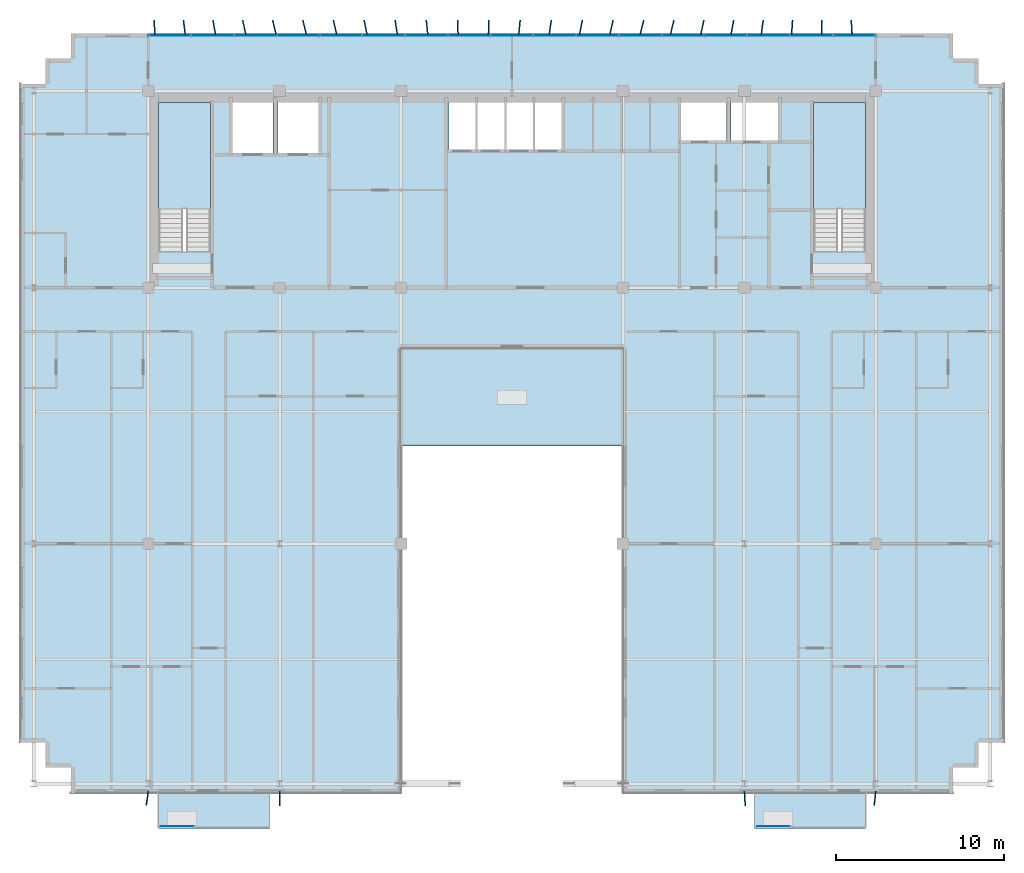
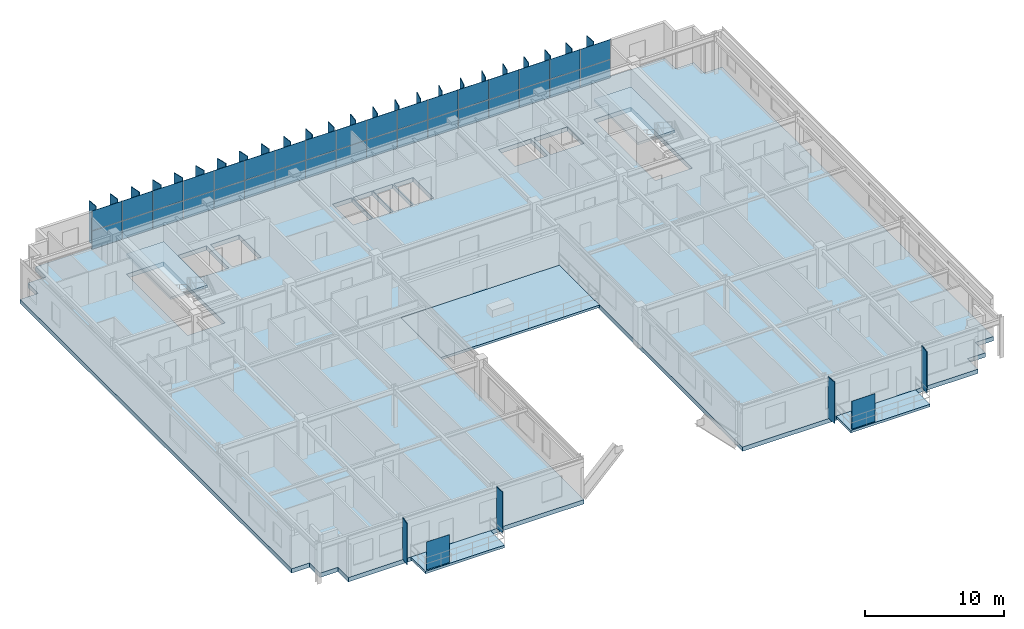
# One storey, part 15 of 23: 64 plates, 6 slabs, 3 elements without a shape of their own.
"""IFC4 building model written with IfcOpenShell, lengths in metres."""

from ifc_helpers import new_model, si_unit, direction, frame, origin, origin_2d, place, context, subcontext, project, spatial, polyline, rectangle, outline, extrude, source, transform, mapped, material, layer, layer_set, type_object, element, aggregate, save


model = new_model("IFC4")

# Units and contexts
model_context = context("Model", 3, precision=1e-05, world=origin(), true_north=direction((0.0, 1.0)))
body_context = subcontext(model_context, "Body", "Model", "MODEL_VIEW")
ifc_project = project(units=[si_unit("LENGTHUNIT", "METRE"), si_unit("AREAUNIT", "SQUARE_METRE"), si_unit("VOLUMEUNIT", "CUBIC_METRE"), si_unit("PLANEANGLEUNIT", "RADIAN"), si_unit("MASSUNIT", "GRAM", prefix="KILO")], contexts=[model_context])

# Site, building, storey
site_placement = place(None, origin())
site = spatial("IfcSite", under=ifc_project, at=site_placement, CompositionType="ELEMENT")
building_placement = place(site_placement, origin())
building = spatial("IfcBuilding", under=site, at=building_placement, Name="Trelvane Seafront Commons", CompositionType="ELEMENT")
storey_placement = place(building_placement, frame((0.0, 0.0, 190.5)))
storey = spatial("IfcBuildingStorey", under=building, at=storey_placement, Name="L49", CompositionType="ELEMENT", Elevation=190.5)

# Slabs
ifc_material_1 = material(Name="Concrete C40/50", Category="concrete")
ifc_layer_1 = layer(ifc_material_1, 0.219970703125, Name="ARCH-BALC-220")
ifc_layer_set_1 = layer_set([ifc_layer_1], Name="Concrete C40/50")
slab_type_1 = type_object("IfcSlabType", Name="ARCH-BALC-220", PredefinedType="FLOOR", material=ifc_layer_set_1)
slab_1_placement = place(storey_placement, frame((0.0, 0.0, -0.219970703125)))
element("IfcSlab", 1, at=slab_1_placement, inside=storey, type_object=slab_type_1, Name="L49 Cantilevered Tree Balcony Loggia 1", PredefinedType="FLOOR", context=body_context, shape_type="SweptSolid", body=[
    extrude(outline(polyline([(16.199951171875, 1.300048828125), (22.800048828125, 1.300048828125), (22.800048828125, 3.39990234375), (16.199951171875, 3.39990234375), (16.199951171875, 1.300048828125)])), origin(), (0.0, 0.0, 1.0), 0.219970703125),
])
slab_2_placement = place(storey_placement, frame((0.0, 0.0, -0.219970703125)))
element("IfcSlab", 2, at=slab_2_placement, inside=storey, type_object=slab_type_1, Name="L49 Cantilevered Tree Balcony Loggia 2", PredefinedType="FLOOR", context=body_context, shape_type="SweptSolid", body=[
    extrude(outline(polyline([(51.60009765625, 1.300048828125), (58.199951171875, 1.300048828125), (58.199951171875, 3.39990234375), (51.60009765625, 3.39990234375), (51.60009765625, 1.300048828125)])), origin(), (0.0, 0.0, 1.0), 0.219970703125),
])

# Stair, slab
stair_type_1 = type_object("IfcStairType", Name="ARCH-STR-ST-1-R20-180", PredefinedType="HALF_TURN_STAIR", material=ifc_material_1)
stair_1_placement = place(storey_placement, origin())
stair_1 = element("IfcStair", 3, at=stair_1_placement, inside=storey, type_object=stair_type_1, Name="L49 West Protected Firefighting Exit Stair ST-1", PredefinedType="HALF_TURN_STAIR")
ifc_layer_2 = layer(ifc_material_1, 0.199951171875, Name="ARCH-LND-200")
ifc_layer_set_2 = layer_set([ifc_layer_2], Name="Concrete C40/50")
slab_type_2 = type_object("IfcSlabType", Name="ARCH-LND-200", PredefinedType="LANDING", material=ifc_layer_set_2)
slab_3_placement = place(storey_placement, frame((0.0, 0.0, 1.60009765625)))
slab_3 = element("IfcSlab", 4, at=slab_3_placement, type_object=slab_type_2, Name="ST-1 landing 1", PredefinedType="LANDING", context=body_context, shape_type="SweptSolid", body=[
    extrude(outline(polyline([(19.300048828125, 38.070068359375), (19.300048828125, 44.39990234375), (16.199951171875, 44.39990234375), (16.199951171875, 38.070068359375), (19.300048828125, 38.070068359375)])), origin(), (0.0, 0.0, 1.0), 0.199951171875),
])
aggregate(stair_1, [slab_3])

stair_type_2 = type_object("IfcStairType", Name="ARCH-STR-ST-2-R20-180", PredefinedType="HALF_TURN_STAIR", material=ifc_material_1)
stair_2_placement = place(storey_placement, origin())
stair_2 = element("IfcStair", 5, at=stair_2_placement, inside=storey, type_object=stair_type_2, Name="L49 East Protected Firefighting Exit Stair ST-2", PredefinedType="HALF_TURN_STAIR")
slab_4_placement = place(storey_placement, frame((0.0, 0.0, 1.60009765625)))
slab_4 = element("IfcSlab", 6, at=slab_4_placement, type_object=slab_type_2, Name="ST-2 landing 1", PredefinedType="LANDING", context=body_context, shape_type="SweptSolid", body=[
    extrude(outline(polyline([(58.199951171875, 38.070068359375), (58.199951171875, 44.39990234375), (55.10009765625, 44.39990234375), (55.10009765625, 38.070068359375), (58.199951171875, 38.070068359375)])), origin(), (0.0, 0.0, 1.0), 0.199951171875),
])
aggregate(stair_2, [slab_4])

# Slabs
ifc_layer_3 = layer(ifc_material_1, 0.2099609375, Name="ARCH-TERR-210")
ifc_layer_set_3 = layer_set([ifc_layer_3], Name="Concrete C40/50")
slab_type_3 = type_object("IfcSlabType", Name="ARCH-TERR-210", PredefinedType="FLOOR", material=ifc_layer_set_3)
slab_5_placement = place(storey_placement, frame((0.0, 0.0, -0.2099609375)))
element("IfcSlab", 7, at=slab_5_placement, inside=storey, type_object=slab_type_3, Name="L49 Central Void-Portal Sky Observation Deck", PredefinedType="FLOOR", context=body_context, shape_type="SweptSolid", body=[
    extrude(outline(polyline([(30.60009765625, 24.0), (43.800048828125, 24.0), (43.800048828125, 29.800048828125), (30.60009765625, 29.800048828125), (30.60009765625, 24.0)])), origin(), (0.0, 0.0, 1.0), 0.2099609375),
])
ifc_material_2 = material(Name="Concrete C60/75", Category="concrete")
ifc_layer_4 = layer(ifc_material_2, 0.3798828125, Name="STR-SLB-T380")
ifc_layer_set_4 = layer_set([ifc_layer_4], Name="Concrete C60/75")
slab_type_4 = type_object("IfcSlabType", Name="STR-SLB-T380", PredefinedType="FLOOR", material=ifc_layer_set_4)
slab_6_placement = place(storey_placement, frame((0.0, 0.0, -0.3798828125)))
element("IfcSlab", 8, at=slab_6_placement, inside=storey, type_object=slab_type_4, Name="L49 Structural Floor Slab", PredefinedType="FLOOR", context=body_context, shape_type="SweptSolid", body=[
    extrude(outline(polyline([(11.0, 3.39990234375), (30.60009765625, 3.39990234375), (30.60009765625, 29.800048828125), (43.800048828125, 29.800048828125), (43.800048828125, 3.39990234375), (63.39990234375, 3.39990234375), (63.39990234375, 4.89990234375), (64.89990234375, 4.89990234375), (64.89990234375, 6.39990234375), (66.39990234375, 6.39990234375), (66.39990234375, 45.5), (64.89990234375, 45.5), (64.89990234375, 47.0), (63.39990234375, 47.0), (63.39990234375, 48.5), (11.0, 48.5), (11.0, 47.0), (9.5, 47.0), (9.5, 45.5), (8.0, 45.5), (8.0, 6.39990234375), (9.5, 6.39990234375), (9.5, 4.89990234375), (11.0, 4.89990234375), (11.0, 3.39990234375)]), holes=[polyline([(19.300048828125, 35.550048828125), (16.199951171875, 35.550048828125), (16.199951171875, 44.39990234375), (19.300048828125, 44.39990234375), (19.300048828125, 35.550048828125)]), polyline([(58.199951171875, 35.550048828125), (55.10009765625, 35.550048828125), (55.10009765625, 44.39990234375), (58.199951171875, 44.39990234375), (58.199951171875, 35.550048828125)]), polyline([(23.0, 41.39990234375), (20.60009765625, 41.39990234375), (20.60009765625, 44.60009765625), (23.0, 44.60009765625), (23.0, 41.39990234375)]), polyline([(23.300048828125, 41.39990234375), (23.300048828125, 44.60009765625), (25.699951171875, 44.60009765625), (25.699951171875, 41.39990234375), (23.300048828125, 41.39990234375)]), polyline([(33.449951171875, 41.60009765625), (33.449951171875, 44.60009765625), (35.070068359375, 44.60009765625), (35.070068359375, 41.60009765625), (33.449951171875, 41.60009765625)]), polyline([(36.77001953125, 41.60009765625), (35.14990234375, 41.60009765625), (35.14990234375, 44.60009765625), (36.77001953125, 44.60009765625), (36.77001953125, 41.60009765625)]), polyline([(38.469970703125, 41.60009765625), (36.85009765625, 41.60009765625), (36.85009765625, 44.60009765625), (38.469970703125, 44.60009765625), (38.469970703125, 41.60009765625)]), polyline([(40.169921875, 41.60009765625), (38.550048828125, 41.60009765625), (38.550048828125, 44.60009765625), (40.169921875, 44.60009765625), (40.169921875, 41.60009765625)]), polyline([(47.25, 42.14990234375), (47.25, 44.550048828125), (49.949951171875, 44.550048828125), (49.949951171875, 42.14990234375), (47.25, 42.14990234375)]), polyline([(50.199951171875, 42.14990234375), (50.199951171875, 44.550048828125), (53.0, 44.550048828125), (53.0, 42.14990234375), (50.199951171875, 42.14990234375)])]), origin(), (0.0, 0.0, 1.0), 0.3798828125),
])

# Plates
ifc_material_3 = material(Name="Perforated anodised aluminium screen", Category="aluminium")
ifc_layer_5 = layer(ifc_material_3, 0.01611328125, Name="ARCH-PLATE-SCREEN")
ifc_layer_set_5 = layer_set([ifc_layer_5], Name="Perforated anodised aluminium screen")
plate_type_1 = type_object("IfcPlateType", Name="ARCH-PLATE-SCREEN", PredefinedType="USERDEFINED", material=ifc_layer_set_5)
shared_shape_1 = source(origin(), body_context, "Body", "SweptSolid", [
    extrude(rectangle(XDim=1.9140625, YDim=0.01611328125, at=origin_2d()), origin(), (0.0, 0.0, 1.0), 2.449951171875),
])
for number, where, z_axis, x_axis, name in (
    (9, (17.306884765625, 1.419921875, 0.0), (0.0, 0.0, 1.0), (1.0, 0.0, 0.0), "SCR-L49-00170"),
    (10, (52.70703125, 1.419921875, 0.0), (0.0, 0.0, 1.0), (1.0, 0.0, 0.0), "SCR-L49-00171"),
):
    element("IfcPlate", number, at=place(storey_placement, frame(where, z_axis=z_axis, x_axis=x_axis)), inside=storey, type_object=plate_type_1, Name=name, ObjectType="SCREEN", PredefinedType="USERDEFINED", context=body_context, shape_type="MappedRepresentation", body=[
        mapped(shared_shape_1, transform((0.0, 0.0, 0.0), x_axis=(1.0, 0.0, 0.0), y_axis=(0.0, 1.0, 0.0), z_axis=(0.0, 0.0, 1.0), scale=1.0)),
    ])
ifc_material_4 = material(Name="Anodised pale-silver aluminium", Category="aluminium")
ifc_layer_6 = layer(ifc_material_4, 0.06005859375, Name="ARCH-PLATE-FIN900")
ifc_layer_set_6 = layer_set([ifc_layer_6], Name="Anodised pale-silver aluminium")
plate_type_2 = type_object("IfcPlateType", Name="ARCH-PLATE-FIN900", PredefinedType="USERDEFINED", material=ifc_layer_set_6)
shared_shape_2 = source(origin(), body_context, "Body", "SweptSolid", [
    extrude(rectangle(XDim=0.89990234375, YDim=0.06005859375, at=origin_2d()), origin(), (0.0, 0.0, 1.0), 3.639892578125),
])
for number, where, z_axis, x_axis, name in (
    (11, (15.97216796875, 48.84912109375, -0.02001953125), (0.0, 0.0, 1.0), (-0.06166522199, 0.998096889283, 0.0), "FIN-L49-01337"),
    (12, (17.74462890625, 48.8466796875, -0.02001953125), (0.0, 0.0, 1.0), (-0.122886151011, 0.992420774616, 0.0), "FIN-L49-01338"),
    (13, (19.521484375, 48.843017578125, -0.02001953125), (0.0, 0.0, 1.0), (-0.17466046705, 0.98462872254, 0.0), "FIN-L49-01339"),
    (14, (21.30419921875, 48.839599609375, -0.02001953125), (0.0, 0.0, 1.0), (-0.213223077214, 0.977003541111, 0.0), "FIN-L49-01340"),
    (15, (23.09375, 48.83740234375, -0.02001953125), (0.0, 0.0, 1.0), (-0.235993611507, 0.971754606538, 0.0), "FIN-L49-01341"),
    (16, (24.89111328125, 48.836669921875, -0.02001953125), (0.0, 0.0, 1.0), (-0.24167294527, 0.970357762645, 0.0), "FIN-L49-01342"),
    (17, (26.69677734375, 48.837890625, -0.02001953125), (0.0, 0.0, 1.0), (-0.229546945315, 0.973297590615, 0.0), "FIN-L49-01343"),
    (18, (28.509765625, 48.8408203125, -0.02001953125), (0.0, 0.0, 1.0), (-0.200771878379, 0.979638021339, 0.0), "FIN-L49-01344"),
    (19, (30.329345703125, 48.844482421875, -0.02001953125), (0.0, 0.0, 1.0), (-0.156898161106, 0.987614786767, 0.0), "FIN-L49-01345"),
    (20, (32.154296875, 48.84765625, -0.02001953125), (0.0, 0.0, 1.0), (-0.101219516896, 0.994864116048, 0.0), "FIN-L49-01346"),
    (21, (33.983154296875, 48.849609375, -0.02001953125), (0.0, 0.0, 1.0), (-0.037554143368, 0.999294594359, 0.0), "FIN-L49-01347"),
    (22, (35.81298828125, 48.849853515625, -0.02001953125), (0.0, 0.0, 1.0), (0.028889905543, 0.999582599567, 0.0), "FIN-L49-01348"),
    (23, (37.64208984375, 48.84814453125, -0.02001953125), (0.0, 0.0, 1.0), (0.093220370881, 0.995645500393, 0.0), "FIN-L49-01349"),
    (24, (39.467529296875, 48.844970703125, -0.02001953125), (0.0, 0.0, 1.0), (0.15022041255, 0.988652531304, 0.0), "FIN-L49-01350"),
    (25, (41.2880859375, 48.84130859375, -0.02001953125), (0.0, 0.0, 1.0), (0.195774991714, 0.980648842665, 0.0), "FIN-L49-01351"),
    (26, (43.10205078125, 48.83837890625, -0.02001953125), (0.0, 0.0, 1.0), (0.226765199773, 0.973949456682, 0.0), "FIN-L49-01352"),
    (27, (44.908447265625, 48.836669921875, -0.02001953125), (0.0, 0.0, 1.0), (0.240992061138, 0.970527086932, 0.0), "FIN-L49-01353"),
    (28, (46.70703125, 48.837158203125, -0.02001953125), (0.0, 0.0, 1.0), (0.237774047557, 0.971320494126, 0.0), "FIN-L49-01354"),
    (29, (48.497802734375, 48.839111328125, -0.02001953125), (0.0, 0.0, 1.0), (0.217225068423, 0.976121544506, 0.0), "FIN-L49-01355"),
    (30, (50.28125, 48.842529296875, -0.02001953125), (0.0, 0.0, 1.0), (0.180556911551, 0.983564538651, 0.0), "FIN-L49-01356"),
    (31, (52.05859375, 48.84619140625, -0.02001953125), (0.0, 0.0, 1.0), (0.130335846067, 0.991469902332, 0.0), "FIN-L49-01357"),
    (32, (53.83154296875, 48.848876953125, -0.02001953125), (0.0, 0.0, 1.0), (0.070109908135, 0.997539272801, 0.0), "FIN-L49-01358"),
    (33, (55.60205078125, 48.85009765625, -0.02001953125), (0.0, 0.0, 1.0), (0.004333638968, 0.999990609743, 0.0), "FIN-L49-01359"),
    (34, (57.372314453125, 48.84912109375, -0.02001953125), (0.0, 0.0, 1.0), (-0.06166522199, 0.998096889283, 0.0), "FIN-L49-01360"),
):
    element("IfcPlate", number, at=place(storey_placement, frame(where, z_axis=z_axis, x_axis=x_axis)), inside=storey, type_object=plate_type_2, Name=name, ObjectType="FIN", PredefinedType="USERDEFINED", context=body_context, shape_type="MappedRepresentation", body=[
        mapped(shared_shape_2, transform((0.0, 0.0, 0.0), x_axis=(1.0, 0.0, 0.0), y_axis=(0.0, 1.0, 0.0), z_axis=(0.0, 0.0, 1.0), scale=1.0)),
    ])
shared_shape_3 = source(origin(), body_context, "Body", "SweptSolid", [
    extrude(rectangle(XDim=0.85009765625, YDim=0.06005859375, at=origin_2d()), origin(), (0.0, 0.0, 1.0), 3.639892578125),
])
for number, where, z_axis, x_axis, name in (
    (35, (15.540283203125, 3.0791015625, -0.02001953125), (0.0, 0.0, 1.0), (-0.140581559907, -0.990069101131, 0.0), "FIN-S-L49-01361"),
    (36, (23.40869140625, 3.0751953125, -0.02001953125), (0.0, 0.0, 1.0), (0.020588194442, -0.999788040661, 0.0), "FIN-S-L49-01362"),
    (37, (51.0263671875, 3.07568359375, -0.02001953125), (0.0, 0.0, 1.0), (0.062114653709, -0.998069020556, 0.0), "FIN-S-L49-01363"),
    (38, (58.755615234375, 3.077392578125, -0.02001953125), (0.0, 0.0, 1.0), (-0.10447639008, -0.994527367103, 0.0), "FIN-S-L49-01364"),
):
    element("IfcPlate", number, at=place(storey_placement, frame(where, z_axis=z_axis, x_axis=x_axis)), inside=storey, type_object=plate_type_2, Name=name, ObjectType="FIN", PredefinedType="USERDEFINED", context=body_context, shape_type="MappedRepresentation", body=[
        mapped(shared_shape_3, transform((0.0, 0.0, 0.0), x_axis=(1.0, 0.0, 0.0), y_axis=(0.0, 1.0, 0.0), z_axis=(0.0, 0.0, 1.0), scale=1.0)),
    ])

# Curtain wall, plates
curtain_wall_type = type_object("IfcCurtainWallType", Name="ARCH-CW5-UPTOWER", PredefinedType="NOTDEFINED", material=ifc_material_4)
curtain_wall_placement = place(storey_placement, origin())
curtain_wall = element("IfcCurtainWall", 39, at=curtain_wall_placement, inside=storey, type_object=curtain_wall_type, Name="CW-L49-0077", PredefinedType="NOTDEFINED")
ifc_material_5 = material(Name="Low-E coastal double glazing", Category="glass")
ifc_layer_7 = layer(ifc_material_5, 0.033935546875, Name="ARCH-CW-GLAZ-34")
ifc_layer_set_7 = layer_set([ifc_layer_7], Name="Low-E coastal double glazing")
plate_type_3 = type_object("IfcPlateType", Name="ARCH-CW-GLAZ-34", PredefinedType="CURTAIN_PANEL", material=ifc_layer_set_7)
shared_shape_4 = source(origin(), body_context, "Body", "SweptSolid", [
    extrude(rectangle(XDim=2.51708984375, YDim=0.033935546875, at=origin_2d()), origin(), (0.0, 0.0, 1.0), 1.594970703125),
])
plate_1_placement = place(storey_placement, frame((16.87060546875, 48.3701171875, 0.0), z_axis=(0.0, 0.0, 1.0), x_axis=(1.0, 0.0, 0.0)))
plate_1 = element("IfcPlate", 40, at=plate_1_placement, type_object=plate_type_3, Name="CW-L49-0077-P00-1", PredefinedType="CURTAIN_PANEL", context=body_context, shape_type="MappedRepresentation", body=[
    mapped(shared_shape_4, transform((0.0, 0.0, 0.0), x_axis=(1.0, 0.0, 0.0), y_axis=(0.0, 1.0, 0.0), z_axis=(0.0, 0.0, 1.0), scale=1.0)),
])
plate_2_placement = place(storey_placement, frame((19.411865234375, 48.3701171875, 0.0), z_axis=(0.0, 0.0, 1.0), x_axis=(1.0, 0.0, 0.0)))
plate_2 = element("IfcPlate", 41, at=plate_2_placement, type_object=plate_type_3, Name="CW-L49-0077-P01-1", PredefinedType="CURTAIN_PANEL", context=body_context, shape_type="MappedRepresentation", body=[
    mapped(shared_shape_4, transform((0.0, 0.0, 0.0), x_axis=(1.0, 0.0, 0.0), y_axis=(0.0, 1.0, 0.0), z_axis=(0.0, 0.0, 1.0), scale=1.0)),
])
plate_3_placement = place(storey_placement, frame((21.952880859375, 48.3701171875, 0.0), z_axis=(0.0, 0.0, 1.0), x_axis=(1.0, 0.0, 0.0)))
plate_3 = element("IfcPlate", 42, at=plate_3_placement, type_object=plate_type_3, Name="CW-L49-0077-P02-1", PredefinedType="CURTAIN_PANEL", context=body_context, shape_type="MappedRepresentation", body=[
    mapped(shared_shape_4, transform((0.0, 0.0, 0.0), x_axis=(1.0, 0.0, 0.0), y_axis=(0.0, 1.0, 0.0), z_axis=(0.0, 0.0, 1.0), scale=1.0)),
])
plate_4_placement = place(storey_placement, frame((24.494140625, 48.3701171875, 0.0), z_axis=(0.0, 0.0, 1.0), x_axis=(1.0, 0.0, 0.0)))
plate_4 = element("IfcPlate", 43, at=plate_4_placement, type_object=plate_type_3, Name="CW-L49-0077-P03-1", PredefinedType="CURTAIN_PANEL", context=body_context, shape_type="MappedRepresentation", body=[
    mapped(shared_shape_4, transform((0.0, 0.0, 0.0), x_axis=(1.0, 0.0, 0.0), y_axis=(0.0, 1.0, 0.0), z_axis=(0.0, 0.0, 1.0), scale=1.0)),
])
plate_5_placement = place(storey_placement, frame((27.035400390625, 48.3701171875, 0.0), z_axis=(0.0, 0.0, 1.0), x_axis=(1.0, 0.0, 0.0)))
plate_5 = element("IfcPlate", 44, at=plate_5_placement, type_object=plate_type_3, Name="CW-L49-0077-P04-1", PredefinedType="CURTAIN_PANEL", context=body_context, shape_type="MappedRepresentation", body=[
    mapped(shared_shape_4, transform((0.0, 0.0, 0.0), x_axis=(1.0, 0.0, 0.0), y_axis=(0.0, 1.0, 0.0), z_axis=(0.0, 0.0, 1.0), scale=1.0)),
])
plate_6_placement = place(storey_placement, frame((29.576416015625, 48.3701171875, 0.0), z_axis=(0.0, 0.0, 1.0), x_axis=(1.0, 0.0, 0.0)))
plate_6 = element("IfcPlate", 45, at=plate_6_placement, type_object=plate_type_3, Name="CW-L49-0077-P05-1", PredefinedType="CURTAIN_PANEL", context=body_context, shape_type="MappedRepresentation", body=[
    mapped(shared_shape_4, transform((0.0, 0.0, 0.0), x_axis=(1.0, 0.0, 0.0), y_axis=(0.0, 1.0, 0.0), z_axis=(0.0, 0.0, 1.0), scale=1.0)),
])
plate_7_placement = place(storey_placement, frame((32.11767578125, 48.3701171875, 0.0), z_axis=(0.0, 0.0, 1.0), x_axis=(1.0, 0.0, 0.0)))
plate_7 = element("IfcPlate", 46, at=plate_7_placement, type_object=plate_type_3, Name="CW-L49-0077-P06-1", PredefinedType="CURTAIN_PANEL", context=body_context, shape_type="MappedRepresentation", body=[
    mapped(shared_shape_4, transform((0.0, 0.0, 0.0), x_axis=(1.0, 0.0, 0.0), y_axis=(0.0, 1.0, 0.0), z_axis=(0.0, 0.0, 1.0), scale=1.0)),
])
plate_8_placement = place(storey_placement, frame((34.65869140625, 48.3701171875, 0.0), z_axis=(0.0, 0.0, 1.0), x_axis=(1.0, 0.0, 0.0)))
plate_8 = element("IfcPlate", 47, at=plate_8_placement, type_object=plate_type_3, Name="CW-L49-0077-P07-1", PredefinedType="CURTAIN_PANEL", context=body_context, shape_type="MappedRepresentation", body=[
    mapped(shared_shape_4, transform((0.0, 0.0, 0.0), x_axis=(1.0, 0.0, 0.0), y_axis=(0.0, 1.0, 0.0), z_axis=(0.0, 0.0, 1.0), scale=1.0)),
])
plate_9_placement = place(storey_placement, frame((37.199951171875, 48.3701171875, 0.0), z_axis=(0.0, 0.0, 1.0), x_axis=(1.0, 0.0, 0.0)))
plate_9 = element("IfcPlate", 48, at=plate_9_placement, type_object=plate_type_3, Name="CW-L49-0077-P08-1", PredefinedType="CURTAIN_PANEL", context=body_context, shape_type="MappedRepresentation", body=[
    mapped(shared_shape_4, transform((0.0, 0.0, 0.0), x_axis=(1.0, 0.0, 0.0), y_axis=(0.0, 1.0, 0.0), z_axis=(0.0, 0.0, 1.0), scale=1.0)),
])
plate_10_placement = place(storey_placement, frame((39.7412109375, 48.3701171875, 0.0), z_axis=(0.0, 0.0, 1.0), x_axis=(1.0, 0.0, 0.0)))
plate_10 = element("IfcPlate", 49, at=plate_10_placement, type_object=plate_type_3, Name="CW-L49-0077-P09-1", PredefinedType="CURTAIN_PANEL", context=body_context, shape_type="MappedRepresentation", body=[
    mapped(shared_shape_4, transform((0.0, 0.0, 0.0), x_axis=(1.0, 0.0, 0.0), y_axis=(0.0, 1.0, 0.0), z_axis=(0.0, 0.0, 1.0), scale=1.0)),
])
plate_11_placement = place(storey_placement, frame((42.282470703125, 48.3701171875, 0.0), z_axis=(0.0, 0.0, 1.0), x_axis=(1.0, 0.0, 0.0)))
plate_11 = element("IfcPlate", 50, at=plate_11_placement, type_object=plate_type_3, Name="CW-L49-0077-P10-1", PredefinedType="CURTAIN_PANEL", context=body_context, shape_type="MappedRepresentation", body=[
    mapped(shared_shape_4, transform((0.0, 0.0, 0.0), x_axis=(1.0, 0.0, 0.0), y_axis=(0.0, 1.0, 0.0), z_axis=(0.0, 0.0, 1.0), scale=1.0)),
])
plate_12_placement = place(storey_placement, frame((44.823486328125, 48.3701171875, 0.0), z_axis=(0.0, 0.0, 1.0), x_axis=(1.0, 0.0, 0.0)))
plate_12 = element("IfcPlate", 51, at=plate_12_placement, type_object=plate_type_3, Name="CW-L49-0077-P11-1", PredefinedType="CURTAIN_PANEL", context=body_context, shape_type="MappedRepresentation", body=[
    mapped(shared_shape_4, transform((0.0, 0.0, 0.0), x_axis=(1.0, 0.0, 0.0), y_axis=(0.0, 1.0, 0.0), z_axis=(0.0, 0.0, 1.0), scale=1.0)),
])
plate_13_placement = place(storey_placement, frame((47.36474609375, 48.3701171875, 0.0), z_axis=(0.0, 0.0, 1.0), x_axis=(1.0, 0.0, 0.0)))
plate_13 = element("IfcPlate", 52, at=plate_13_placement, type_object=plate_type_3, Name="CW-L49-0077-P12-1", PredefinedType="CURTAIN_PANEL", context=body_context, shape_type="MappedRepresentation", body=[
    mapped(shared_shape_4, transform((0.0, 0.0, 0.0), x_axis=(1.0, 0.0, 0.0), y_axis=(0.0, 1.0, 0.0), z_axis=(0.0, 0.0, 1.0), scale=1.0)),
])
plate_14_placement = place(storey_placement, frame((49.906005859375, 48.3701171875, 0.0), z_axis=(0.0, 0.0, 1.0), x_axis=(1.0, 0.0, 0.0)))
plate_14 = element("IfcPlate", 53, at=plate_14_placement, type_object=plate_type_3, Name="CW-L49-0077-P13-1", PredefinedType="CURTAIN_PANEL", context=body_context, shape_type="MappedRepresentation", body=[
    mapped(shared_shape_4, transform((0.0, 0.0, 0.0), x_axis=(1.0, 0.0, 0.0), y_axis=(0.0, 1.0, 0.0), z_axis=(0.0, 0.0, 1.0), scale=1.0)),
])
plate_15_placement = place(storey_placement, frame((52.447021484375, 48.3701171875, 0.0), z_axis=(0.0, 0.0, 1.0), x_axis=(1.0, 0.0, 0.0)))
plate_15 = element("IfcPlate", 54, at=plate_15_placement, type_object=plate_type_3, Name="CW-L49-0077-P14-1", PredefinedType="CURTAIN_PANEL", context=body_context, shape_type="MappedRepresentation", body=[
    mapped(shared_shape_4, transform((0.0, 0.0, 0.0), x_axis=(1.0, 0.0, 0.0), y_axis=(0.0, 1.0, 0.0), z_axis=(0.0, 0.0, 1.0), scale=1.0)),
])
plate_16_placement = place(storey_placement, frame((54.98828125, 48.3701171875, 0.0), z_axis=(0.0, 0.0, 1.0), x_axis=(1.0, 0.0, 0.0)))
plate_16 = element("IfcPlate", 55, at=plate_16_placement, type_object=plate_type_3, Name="CW-L49-0077-P15-1", PredefinedType="CURTAIN_PANEL", context=body_context, shape_type="MappedRepresentation", body=[
    mapped(shared_shape_4, transform((0.0, 0.0, 0.0), x_axis=(1.0, 0.0, 0.0), y_axis=(0.0, 1.0, 0.0), z_axis=(0.0, 0.0, 1.0), scale=1.0)),
])
plate_17_placement = place(storey_placement, frame((57.529296875, 48.3701171875, 0.0), z_axis=(0.0, 0.0, 1.0), x_axis=(1.0, 0.0, 0.0)))
plate_17 = element("IfcPlate", 56, at=plate_17_placement, type_object=plate_type_3, Name="CW-L49-0077-P16-1", PredefinedType="CURTAIN_PANEL", context=body_context, shape_type="MappedRepresentation", body=[
    mapped(shared_shape_4, transform((0.0, 0.0, 0.0), x_axis=(1.0, 0.0, 0.0), y_axis=(0.0, 1.0, 0.0), z_axis=(0.0, 0.0, 1.0), scale=1.0)),
])
shared_shape_5 = source(origin(), body_context, "Body", "SweptSolid", [
    extrude(rectangle(XDim=2.51708984375, YDim=0.033935546875, at=origin_2d()), origin(), (0.0, 0.0, 1.0), 1.72900390625),
])
plate_18_placement = place(storey_placement, frame((16.87060546875, 48.3701171875, 1.631103515625), z_axis=(0.0, 0.0, 1.0), x_axis=(1.0, 0.0, 0.0)))
plate_18 = element("IfcPlate", 57, at=plate_18_placement, type_object=plate_type_3, Name="CW-L49-0077-P00-2", PredefinedType="CURTAIN_PANEL", context=body_context, shape_type="MappedRepresentation", body=[
    mapped(shared_shape_5, transform((0.0, 0.0, 0.0), x_axis=(1.0, 0.0, 0.0), y_axis=(0.0, 1.0, 0.0), z_axis=(0.0, 0.0, 1.0), scale=1.0)),
])
plate_19_placement = place(storey_placement, frame((19.411865234375, 48.3701171875, 1.631103515625), z_axis=(0.0, 0.0, 1.0), x_axis=(1.0, 0.0, 0.0)))
plate_19 = element("IfcPlate", 58, at=plate_19_placement, type_object=plate_type_3, Name="CW-L49-0077-P01-2", PredefinedType="CURTAIN_PANEL", context=body_context, shape_type="MappedRepresentation", body=[
    mapped(shared_shape_5, transform((0.0, 0.0, 0.0), x_axis=(1.0, 0.0, 0.0), y_axis=(0.0, 1.0, 0.0), z_axis=(0.0, 0.0, 1.0), scale=1.0)),
])
plate_20_placement = place(storey_placement, frame((21.952880859375, 48.3701171875, 1.631103515625), z_axis=(0.0, 0.0, 1.0), x_axis=(1.0, 0.0, 0.0)))
plate_20 = element("IfcPlate", 59, at=plate_20_placement, type_object=plate_type_3, Name="CW-L49-0077-P02-2", PredefinedType="CURTAIN_PANEL", context=body_context, shape_type="MappedRepresentation", body=[
    mapped(shared_shape_5, transform((0.0, 0.0, 0.0), x_axis=(1.0, 0.0, 0.0), y_axis=(0.0, 1.0, 0.0), z_axis=(0.0, 0.0, 1.0), scale=1.0)),
])
plate_21_placement = place(storey_placement, frame((24.494140625, 48.3701171875, 1.631103515625), z_axis=(0.0, 0.0, 1.0), x_axis=(1.0, 0.0, 0.0)))
plate_21 = element("IfcPlate", 60, at=plate_21_placement, type_object=plate_type_3, Name="CW-L49-0077-P03-2", PredefinedType="CURTAIN_PANEL", context=body_context, shape_type="MappedRepresentation", body=[
    mapped(shared_shape_5, transform((0.0, 0.0, 0.0), x_axis=(1.0, 0.0, 0.0), y_axis=(0.0, 1.0, 0.0), z_axis=(0.0, 0.0, 1.0), scale=1.0)),
])
plate_22_placement = place(storey_placement, frame((27.035400390625, 48.3701171875, 1.631103515625), z_axis=(0.0, 0.0, 1.0), x_axis=(1.0, 0.0, 0.0)))
plate_22 = element("IfcPlate", 61, at=plate_22_placement, type_object=plate_type_3, Name="CW-L49-0077-P04-2", PredefinedType="CURTAIN_PANEL", context=body_context, shape_type="MappedRepresentation", body=[
    mapped(shared_shape_5, transform((0.0, 0.0, 0.0), x_axis=(1.0, 0.0, 0.0), y_axis=(0.0, 1.0, 0.0), z_axis=(0.0, 0.0, 1.0), scale=1.0)),
])
plate_23_placement = place(storey_placement, frame((29.576416015625, 48.3701171875, 1.631103515625), z_axis=(0.0, 0.0, 1.0), x_axis=(1.0, 0.0, 0.0)))
plate_23 = element("IfcPlate", 62, at=plate_23_placement, type_object=plate_type_3, Name="CW-L49-0077-P05-2", PredefinedType="CURTAIN_PANEL", context=body_context, shape_type="MappedRepresentation", body=[
    mapped(shared_shape_5, transform((0.0, 0.0, 0.0), x_axis=(1.0, 0.0, 0.0), y_axis=(0.0, 1.0, 0.0), z_axis=(0.0, 0.0, 1.0), scale=1.0)),
])
plate_24_placement = place(storey_placement, frame((32.11767578125, 48.3701171875, 1.631103515625), z_axis=(0.0, 0.0, 1.0), x_axis=(1.0, 0.0, 0.0)))
plate_24 = element("IfcPlate", 63, at=plate_24_placement, type_object=plate_type_3, Name="CW-L49-0077-P06-2", PredefinedType="CURTAIN_PANEL", context=body_context, shape_type="MappedRepresentation", body=[
    mapped(shared_shape_5, transform((0.0, 0.0, 0.0), x_axis=(1.0, 0.0, 0.0), y_axis=(0.0, 1.0, 0.0), z_axis=(0.0, 0.0, 1.0), scale=1.0)),
])
plate_25_placement = place(storey_placement, frame((34.65869140625, 48.3701171875, 1.631103515625), z_axis=(0.0, 0.0, 1.0), x_axis=(1.0, 0.0, 0.0)))
plate_25 = element("IfcPlate", 64, at=plate_25_placement, type_object=plate_type_3, Name="CW-L49-0077-P07-2", PredefinedType="CURTAIN_PANEL", context=body_context, shape_type="MappedRepresentation", body=[
    mapped(shared_shape_5, transform((0.0, 0.0, 0.0), x_axis=(1.0, 0.0, 0.0), y_axis=(0.0, 1.0, 0.0), z_axis=(0.0, 0.0, 1.0), scale=1.0)),
])
plate_26_placement = place(storey_placement, frame((37.199951171875, 48.3701171875, 1.631103515625), z_axis=(0.0, 0.0, 1.0), x_axis=(1.0, 0.0, 0.0)))
plate_26 = element("IfcPlate", 65, at=plate_26_placement, type_object=plate_type_3, Name="CW-L49-0077-P08-2", PredefinedType="CURTAIN_PANEL", context=body_context, shape_type="MappedRepresentation", body=[
    mapped(shared_shape_5, transform((0.0, 0.0, 0.0), x_axis=(1.0, 0.0, 0.0), y_axis=(0.0, 1.0, 0.0), z_axis=(0.0, 0.0, 1.0), scale=1.0)),
])
plate_27_placement = place(storey_placement, frame((39.7412109375, 48.3701171875, 1.631103515625), z_axis=(0.0, 0.0, 1.0), x_axis=(1.0, 0.0, 0.0)))
plate_27 = element("IfcPlate", 66, at=plate_27_placement, type_object=plate_type_3, Name="CW-L49-0077-P09-2", PredefinedType="CURTAIN_PANEL", context=body_context, shape_type="MappedRepresentation", body=[
    mapped(shared_shape_5, transform((0.0, 0.0, 0.0), x_axis=(1.0, 0.0, 0.0), y_axis=(0.0, 1.0, 0.0), z_axis=(0.0, 0.0, 1.0), scale=1.0)),
])
plate_28_placement = place(storey_placement, frame((42.282470703125, 48.3701171875, 1.631103515625), z_axis=(0.0, 0.0, 1.0), x_axis=(1.0, 0.0, 0.0)))
plate_28 = element("IfcPlate", 67, at=plate_28_placement, type_object=plate_type_3, Name="CW-L49-0077-P10-2", PredefinedType="CURTAIN_PANEL", context=body_context, shape_type="MappedRepresentation", body=[
    mapped(shared_shape_5, transform((0.0, 0.0, 0.0), x_axis=(1.0, 0.0, 0.0), y_axis=(0.0, 1.0, 0.0), z_axis=(0.0, 0.0, 1.0), scale=1.0)),
])
plate_29_placement = place(storey_placement, frame((44.823486328125, 48.3701171875, 1.631103515625), z_axis=(0.0, 0.0, 1.0), x_axis=(1.0, 0.0, 0.0)))
plate_29 = element("IfcPlate", 68, at=plate_29_placement, type_object=plate_type_3, Name="CW-L49-0077-P11-2", PredefinedType="CURTAIN_PANEL", context=body_context, shape_type="MappedRepresentation", body=[
    mapped(shared_shape_5, transform((0.0, 0.0, 0.0), x_axis=(1.0, 0.0, 0.0), y_axis=(0.0, 1.0, 0.0), z_axis=(0.0, 0.0, 1.0), scale=1.0)),
])
plate_30_placement = place(storey_placement, frame((47.36474609375, 48.3701171875, 1.631103515625), z_axis=(0.0, 0.0, 1.0), x_axis=(1.0, 0.0, 0.0)))
plate_30 = element("IfcPlate", 69, at=plate_30_placement, type_object=plate_type_3, Name="CW-L49-0077-P12-2", PredefinedType="CURTAIN_PANEL", context=body_context, shape_type="MappedRepresentation", body=[
    mapped(shared_shape_5, transform((0.0, 0.0, 0.0), x_axis=(1.0, 0.0, 0.0), y_axis=(0.0, 1.0, 0.0), z_axis=(0.0, 0.0, 1.0), scale=1.0)),
])
plate_31_placement = place(storey_placement, frame((49.906005859375, 48.3701171875, 1.631103515625), z_axis=(0.0, 0.0, 1.0), x_axis=(1.0, 0.0, 0.0)))
plate_31 = element("IfcPlate", 70, at=plate_31_placement, type_object=plate_type_3, Name="CW-L49-0077-P13-2", PredefinedType="CURTAIN_PANEL", context=body_context, shape_type="MappedRepresentation", body=[
    mapped(shared_shape_5, transform((0.0, 0.0, 0.0), x_axis=(1.0, 0.0, 0.0), y_axis=(0.0, 1.0, 0.0), z_axis=(0.0, 0.0, 1.0), scale=1.0)),
])
plate_32_placement = place(storey_placement, frame((52.447021484375, 48.3701171875, 1.631103515625), z_axis=(0.0, 0.0, 1.0), x_axis=(1.0, 0.0, 0.0)))
plate_32 = element("IfcPlate", 71, at=plate_32_placement, type_object=plate_type_3, Name="CW-L49-0077-P14-2", PredefinedType="CURTAIN_PANEL", context=body_context, shape_type="MappedRepresentation", body=[
    mapped(shared_shape_5, transform((0.0, 0.0, 0.0), x_axis=(1.0, 0.0, 0.0), y_axis=(0.0, 1.0, 0.0), z_axis=(0.0, 0.0, 1.0), scale=1.0)),
])
plate_33_placement = place(storey_placement, frame((54.98828125, 48.3701171875, 1.631103515625), z_axis=(0.0, 0.0, 1.0), x_axis=(1.0, 0.0, 0.0)))
plate_33 = element("IfcPlate", 72, at=plate_33_placement, type_object=plate_type_3, Name="CW-L49-0077-P15-2", PredefinedType="CURTAIN_PANEL", context=body_context, shape_type="MappedRepresentation", body=[
    mapped(shared_shape_5, transform((0.0, 0.0, 0.0), x_axis=(1.0, 0.0, 0.0), y_axis=(0.0, 1.0, 0.0), z_axis=(0.0, 0.0, 1.0), scale=1.0)),
])
plate_34_placement = place(storey_placement, frame((57.529296875, 48.3701171875, 1.631103515625), z_axis=(0.0, 0.0, 1.0), x_axis=(1.0, 0.0, 0.0)))
plate_34 = element("IfcPlate", 73, at=plate_34_placement, type_object=plate_type_3, Name="CW-L49-0077-P16-2", PredefinedType="CURTAIN_PANEL", context=body_context, shape_type="MappedRepresentation", body=[
    mapped(shared_shape_5, transform((0.0, 0.0, 0.0), x_axis=(1.0, 0.0, 0.0), y_axis=(0.0, 1.0, 0.0), z_axis=(0.0, 0.0, 1.0), scale=1.0)),
])
aggregate(curtain_wall, [plate_1, plate_18, plate_2, plate_19, plate_3, plate_20, plate_4, plate_21, plate_5, plate_22, plate_6, plate_23, plate_7, plate_24, plate_8, plate_25, plate_9, plate_26, plate_10, plate_27, plate_11, plate_28, plate_12, plate_29, plate_13, plate_30, plate_14, plate_31, plate_15, plate_32, plate_16, plate_33, plate_17, plate_34])

save(model, "model.ifc")
